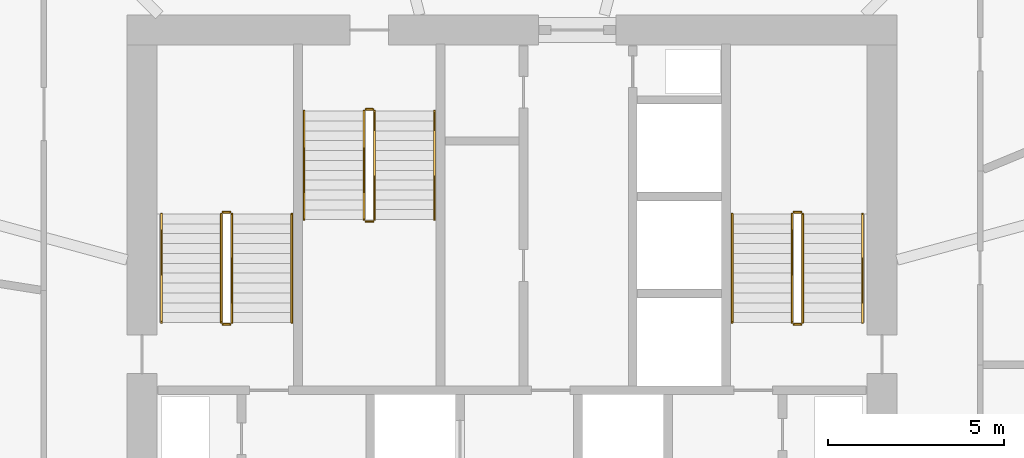
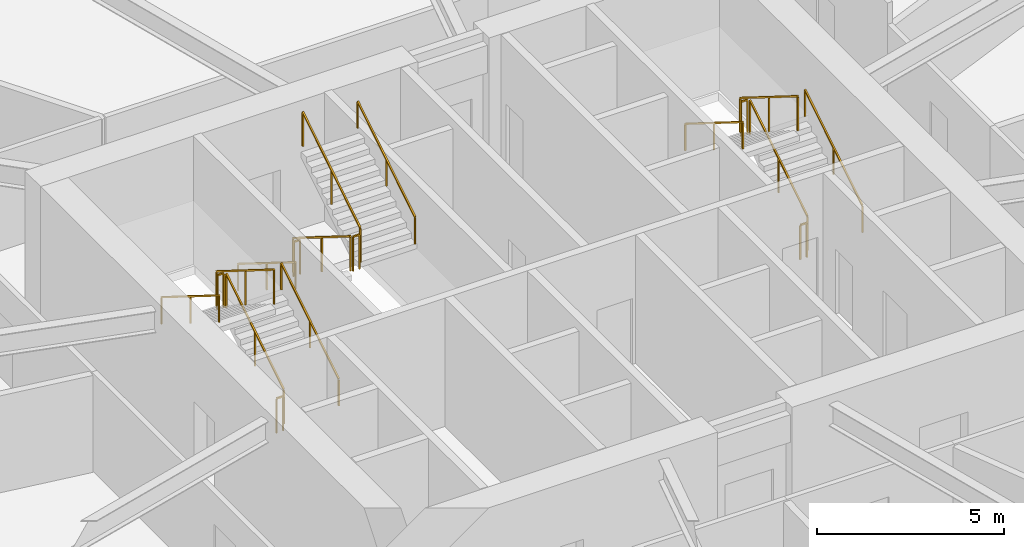
# One storey, part 28 of 28: 18 railings.
"""IFC4 building model written with IfcOpenShell, lengths in metres."""

from ifc_helpers import new_model, si_unit, direction, frame, origin, origin_2d, place, context, subcontext, project, spatial, rectangle, extrude, material, type_object, element, save


model = new_model("IFC4")

# Units and contexts
model_context = context("Model", 3, precision=1e-05, world=origin(), true_north=direction((0.0, 1.0)))
body_context = subcontext(model_context, "Body", "Model", "MODEL_VIEW")
ifc_project = project(units=[si_unit("LENGTHUNIT", "METRE"), si_unit("AREAUNIT", "SQUARE_METRE"), si_unit("VOLUMEUNIT", "CUBIC_METRE"), si_unit("PLANEANGLEUNIT", "RADIAN"), si_unit("MASSUNIT", "GRAM", prefix="KILO")], contexts=[model_context])

# Site, building, storey
site_placement = place(None, origin())
site = spatial("IfcSite", under=ifc_project, at=site_placement, CompositionType="ELEMENT")
building_placement = place(site_placement, origin())
building = spatial("IfcBuilding", under=site, at=building_placement, Name="Zuhravey Tower", CompositionType="ELEMENT")
storey_placement = place(building_placement, frame((0.0, 0.0, 75.0)))
storey = spatial("IfcBuildingStorey", under=building, at=storey_placement, Name="L18", CompositionType="ELEMENT", Elevation=75.0)

# Railings
ifc_material_1 = material(Name="Brushed stainless steel", Category="steel")
railing_type_1 = type_object("IfcRailingType", Name="Stair Wall Handrail 900", PredefinedType="HANDRAIL", material=ifc_material_1)
railing_1_placement = place(storey_placement, frame((29.75, 33.199951171875, 0.175048828125)))
element("IfcRailing", 1, at=railing_1_placement, inside=storey, type_object=railing_type_1, Name="L18 ST1 stair handrail 1", PredefinedType="HANDRAIL", context=body_context, shape_type="SweptSolid", body=[
    extrude(rectangle(XDim=0.048095703125, YDim=0.048095703125, at=origin_2d()), frame((0.0, 0.001708984375, 0.876953125), z_axis=(0.0, 0.847998304005, 0.529998940003), x_axis=(-1.0, 0.0, 0.0)), (0.0, 0.0, 1.0), 3.628173828125),
    extrude(rectangle(XDim=0.0419921875, YDim=0.0419921875, at=origin_2d()), origin(), (0.0, 0.0, 1.0), 0.849853515625),
    extrude(rectangle(XDim=0.0419921875, YDim=0.0419921875, at=origin_2d()), frame((0.0, 1.5400390625, 0.96240234375)), (0.0, 0.0, 1.0), 0.849853515625),
    extrude(rectangle(XDim=0.0419921875, YDim=0.0419921875, at=origin_2d()), frame((0.0, 3.080078125, 1.925048828125)), (0.0, 0.0, 1.0), 0.849853515625),
])
railing_2_placement = place(storey_placement, frame((26.050048828125, 36.280029296875, 2.27490234375)))
element("IfcRailing", 2, at=railing_2_placement, inside=storey, type_object=railing_type_1, Name="L18 ST1 stair handrail 2", PredefinedType="HANDRAIL", context=body_context, shape_type="SweptSolid", body=[
    extrude(rectangle(XDim=0.048095703125, YDim=0.048095703125, at=origin_2d()), frame((0.0, -0.001708984375, 0.876953125), z_axis=(0.0, -0.847998304005, 0.529998940003), x_axis=(1.0, 0.0, 0.0)), (0.0, 0.0, 1.0), 3.628173828125),
    extrude(rectangle(XDim=0.0419921875, YDim=0.0419921875, at=origin_2d()), origin(), (0.0, 0.0, 1.0), 0.849853515625),
    extrude(rectangle(XDim=0.0419921875, YDim=0.0419921875, at=origin_2d()), frame((0.0, -1.5400390625, 0.96240234375)), (0.0, 0.0, 1.0), 0.849853515625),
    extrude(rectangle(XDim=0.0419921875, YDim=0.0419921875, at=origin_2d()), frame((0.0, -3.080078125, 1.925048828125)), (0.0, 0.0, 1.0), 0.849853515625),
])
railing_3_placement = place(storey_placement, frame((45.949951171875, 33.199951171875, 0.175048828125)))
element("IfcRailing", 3, at=railing_3_placement, inside=storey, type_object=railing_type_1, Name="L18 ST2 stair handrail 1", PredefinedType="HANDRAIL", context=body_context, shape_type="SweptSolid", body=[
    extrude(rectangle(XDim=0.048095703125, YDim=0.048095703125, at=origin_2d()), frame((0.0, 0.001708984375, 0.876953125), z_axis=(0.0, 0.847998304005, 0.529998940003), x_axis=(-1.0, 0.0, 0.0)), (0.0, 0.0, 1.0), 3.628173828125),
    extrude(rectangle(XDim=0.0419921875, YDim=0.0419921875, at=origin_2d()), origin(), (0.0, 0.0, 1.0), 0.849853515625),
    extrude(rectangle(XDim=0.0419921875, YDim=0.0419921875, at=origin_2d()), frame((0.0, 1.5400390625, 0.96240234375)), (0.0, 0.0, 1.0), 0.849853515625),
    extrude(rectangle(XDim=0.0419921875, YDim=0.0419921875, at=origin_2d()), frame((0.0, 3.080078125, 1.925048828125)), (0.0, 0.0, 1.0), 0.849853515625),
])
railing_4_placement = place(storey_placement, frame((42.25, 36.280029296875, 2.27490234375)))
element("IfcRailing", 4, at=railing_4_placement, inside=storey, type_object=railing_type_1, Name="L18 ST2 stair handrail 2", PredefinedType="HANDRAIL", context=body_context, shape_type="SweptSolid", body=[
    extrude(rectangle(XDim=0.048095703125, YDim=0.048095703125, at=origin_2d()), frame((0.0, -0.001708984375, 0.876953125), z_axis=(0.0, -0.847998304005, 0.529998940003), x_axis=(1.0, 0.0, 0.0)), (0.0, 0.0, 1.0), 3.628173828125),
    extrude(rectangle(XDim=0.0419921875, YDim=0.0419921875, at=origin_2d()), origin(), (0.0, 0.0, 1.0), 0.849853515625),
    extrude(rectangle(XDim=0.0419921875, YDim=0.0419921875, at=origin_2d()), frame((0.0, -1.5400390625, 0.96240234375)), (0.0, 0.0, 1.0), 0.849853515625),
    extrude(rectangle(XDim=0.0419921875, YDim=0.0419921875, at=origin_2d()), frame((0.0, -3.080078125, 1.925048828125)), (0.0, 0.0, 1.0), 0.849853515625),
])
railing_5_placement = place(storey_placement, frame((30.10009765625, 39.199951171875, 0.175048828125)))
element("IfcRailing", 5, at=railing_5_placement, inside=storey, type_object=railing_type_1, Name="L18 ST3 stair handrail 1", PredefinedType="HANDRAIL", context=body_context, shape_type="SweptSolid", body=[
    extrude(rectangle(XDim=0.048095703125, YDim=0.048095703125, at=origin_2d()), frame((0.0, -0.001708984375, 0.876953125), z_axis=(0.0, -0.847979421464, 0.530029150871), x_axis=(1.0, 0.0, 0.0)), (0.0, 0.0, 1.0), 3.6279296875),
    extrude(rectangle(XDim=0.0419921875, YDim=0.0419921875, at=origin_2d()), origin(), (0.0, 0.0, 1.0), 0.849853515625),
    extrude(rectangle(XDim=0.0419921875, YDim=0.0419921875, at=origin_2d()), frame((0.0, -1.5400390625, 0.96240234375)), (0.0, 0.0, 1.0), 0.849853515625),
    extrude(rectangle(XDim=0.0419921875, YDim=0.0419921875, at=origin_2d()), frame((0.0, -3.079833984375, 1.925048828125)), (0.0, 0.0, 1.0), 0.849853515625),
])
railing_6_placement = place(storey_placement, frame((33.800048828125, 36.1201171875, 2.27490234375)))
element("IfcRailing", 6, at=railing_6_placement, inside=storey, type_object=railing_type_1, Name="L18 ST3 stair handrail 2", PredefinedType="HANDRAIL", context=body_context, shape_type="SweptSolid", body=[
    extrude(rectangle(XDim=0.048095703125, YDim=0.048095703125, at=origin_2d()), frame((0.0, 0.001708984375, 0.876953125), z_axis=(0.0, 0.847979421464, 0.530029150871), x_axis=(-1.0, 0.0, 0.0)), (0.0, 0.0, 1.0), 3.6279296875),
    extrude(rectangle(XDim=0.0419921875, YDim=0.0419921875, at=origin_2d()), origin(), (0.0, 0.0, 1.0), 0.849853515625),
    extrude(rectangle(XDim=0.0419921875, YDim=0.0419921875, at=origin_2d()), frame((0.0, 1.5400390625, 0.96240234375)), (0.0, 0.0, 1.0), 0.849853515625),
    extrude(rectangle(XDim=0.0419921875, YDim=0.0419921875, at=origin_2d()), frame((0.0, 3.079833984375, 1.925048828125)), (0.0, 0.0, 1.0), 0.849853515625),
])
ifc_material_2 = material(Name="Painted tubular steel", Category="steel")
railing_type_2 = type_object("IfcRailingType", Name="Stair Well Guardrail 1150", PredefinedType="GUARDRAIL", material=ifc_material_2)
railing_7_placement = place(storey_placement, frame((28.050048828125, 33.199951171875, 0.175048828125)))
element("IfcRailing", 7, at=railing_7_placement, inside=storey, type_object=railing_type_2, Name="L18 ST1 stair guard 1", PredefinedType="GUARDRAIL", context=body_context, shape_type="SweptSolid", body=[
    extrude(rectangle(XDim=0.048095703125, YDim=0.048095703125, at=origin_2d()), frame((0.0, 0.001708984375, 1.126953125), z_axis=(0.0, 0.847998304005, 0.529998940003), x_axis=(-1.0, 0.0, 0.0)), (0.0, 0.0, 1.0), 3.628173828125),
    extrude(rectangle(XDim=0.0419921875, YDim=0.0419921875, at=origin_2d()), origin(), (0.0, 0.0, 1.0), 1.099853515625),
    extrude(rectangle(XDim=0.0419921875, YDim=0.0419921875, at=origin_2d()), frame((0.0, 1.5400390625, 0.96240234375)), (0.0, 0.0, 1.0), 1.099853515625),
    extrude(rectangle(XDim=0.0419921875, YDim=0.0419921875, at=origin_2d()), frame((0.0, 3.080078125, 1.925048828125)), (0.0, 0.0, 1.0), 1.099853515625),
])
railing_8_placement = place(storey_placement, frame((28.0, 36.330078125, 2.10009765625)))
element("IfcRailing", 8, at=railing_8_placement, inside=storey, type_object=railing_type_2, Name="L18 ST1 stair guard 2", PredefinedType="GUARDRAIL", context=body_context, shape_type="SweptSolid", body=[
    extrude(rectangle(XDim=0.048095703125, YDim=0.048095703125, at=origin_2d()), frame((-0.001953125, 0.0, 1.1259765625), z_axis=(-1.0, 0.0, 0.0), x_axis=(0.0, -1.0, 0.0)), (0.0, 0.0, 1.0), 0.196044921875),
    extrude(rectangle(XDim=0.0419921875, YDim=0.0419921875, at=origin_2d()), origin(), (0.0, 0.0, 1.0), 1.099853515625),
    extrude(rectangle(XDim=0.0419921875, YDim=0.0419921875, at=origin_2d()), frame((-0.199951171875, 0.0, 0.0)), (0.0, 0.0, 1.0), 1.099853515625),
])
railing_9_placement = place(storey_placement, frame((27.75, 36.280029296875, 2.27490234375)))
element("IfcRailing", 9, at=railing_9_placement, inside=storey, type_object=railing_type_2, Name="L18 ST1 stair guard 3", PredefinedType="GUARDRAIL", context=body_context, shape_type="SweptSolid", body=[
    extrude(rectangle(XDim=0.048095703125, YDim=0.048095703125, at=origin_2d()), frame((0.0, -0.001708984375, 1.126953125), z_axis=(0.0, -0.847998304005, 0.529998940003), x_axis=(1.0, 0.0, 0.0)), (0.0, 0.0, 1.0), 3.628173828125),
    extrude(rectangle(XDim=0.0419921875, YDim=0.0419921875, at=origin_2d()), origin(), (0.0, 0.0, 1.0), 1.099853515625),
    extrude(rectangle(XDim=0.0419921875, YDim=0.0419921875, at=origin_2d()), frame((0.0, -1.5400390625, 0.96240234375)), (0.0, 0.0, 1.0), 1.099853515625),
    extrude(rectangle(XDim=0.0419921875, YDim=0.0419921875, at=origin_2d()), frame((0.0, -3.080078125, 1.925048828125)), (0.0, 0.0, 1.0), 1.099853515625),
])
railing_10_placement = place(storey_placement, frame((28.0, 33.14990234375, 0.0)))
element("IfcRailing", 10, at=railing_10_placement, inside=storey, type_object=railing_type_2, Name="L18 ST1 stair guard 4", PredefinedType="GUARDRAIL", context=body_context, shape_type="SweptSolid", body=[
    extrude(rectangle(XDim=0.048095703125, YDim=0.048095703125, at=origin_2d()), frame((-0.001953125, 0.0, 1.1259765625), z_axis=(-1.0, 0.0, 0.0), x_axis=(0.0, -1.0, 0.0)), (0.0, 0.0, 1.0), 0.196044921875),
    extrude(rectangle(XDim=0.0419921875, YDim=0.0419921875, at=origin_2d()), origin(), (0.0, 0.0, 1.0), 1.099853515625),
    extrude(rectangle(XDim=0.0419921875, YDim=0.0419921875, at=origin_2d()), frame((-0.199951171875, 0.0, 0.0)), (0.0, 0.0, 1.0), 1.099853515625),
])
railing_11_placement = place(storey_placement, frame((44.25, 33.199951171875, 0.175048828125)))
element("IfcRailing", 11, at=railing_11_placement, inside=storey, type_object=railing_type_2, Name="L18 ST2 stair guard 1", PredefinedType="GUARDRAIL", context=body_context, shape_type="SweptSolid", body=[
    extrude(rectangle(XDim=0.048095703125, YDim=0.048095703125, at=origin_2d()), frame((0.0, 0.001708984375, 1.126953125), z_axis=(0.0, 0.847998304005, 0.529998940003), x_axis=(-1.0, 0.0, 0.0)), (0.0, 0.0, 1.0), 3.628173828125),
    extrude(rectangle(XDim=0.0419921875, YDim=0.0419921875, at=origin_2d()), origin(), (0.0, 0.0, 1.0), 1.099853515625),
    extrude(rectangle(XDim=0.0419921875, YDim=0.0419921875, at=origin_2d()), frame((0.0, 1.5400390625, 0.96240234375)), (0.0, 0.0, 1.0), 1.099853515625),
    extrude(rectangle(XDim=0.0419921875, YDim=0.0419921875, at=origin_2d()), frame((0.0, 3.080078125, 1.925048828125)), (0.0, 0.0, 1.0), 1.099853515625),
])
railing_12_placement = place(storey_placement, frame((44.199951171875, 36.330078125, 2.10009765625)))
element("IfcRailing", 12, at=railing_12_placement, inside=storey, type_object=railing_type_2, Name="L18 ST2 stair guard 2", PredefinedType="GUARDRAIL", context=body_context, shape_type="SweptSolid", body=[
    extrude(rectangle(XDim=0.048095703125, YDim=0.048095703125, at=origin_2d()), frame((-0.001953125, 0.0, 1.1259765625), z_axis=(-1.0, 0.0, 0.0), x_axis=(0.0, -1.0, 0.0)), (0.0, 0.0, 1.0), 0.196044921875),
    extrude(rectangle(XDim=0.0419921875, YDim=0.0419921875, at=origin_2d()), origin(), (0.0, 0.0, 1.0), 1.099853515625),
    extrude(rectangle(XDim=0.0419921875, YDim=0.0419921875, at=origin_2d()), frame((-0.199951171875, 0.0, 0.0)), (0.0, 0.0, 1.0), 1.099853515625),
])
railing_13_placement = place(storey_placement, frame((43.949951171875, 36.280029296875, 2.27490234375)))
element("IfcRailing", 13, at=railing_13_placement, inside=storey, type_object=railing_type_2, Name="L18 ST2 stair guard 3", PredefinedType="GUARDRAIL", context=body_context, shape_type="SweptSolid", body=[
    extrude(rectangle(XDim=0.048095703125, YDim=0.048095703125, at=origin_2d()), frame((0.0, -0.001708984375, 1.126953125), z_axis=(0.0, -0.847998304005, 0.529998940003), x_axis=(1.0, 0.0, 0.0)), (0.0, 0.0, 1.0), 3.628173828125),
    extrude(rectangle(XDim=0.0419921875, YDim=0.0419921875, at=origin_2d()), origin(), (0.0, 0.0, 1.0), 1.099853515625),
    extrude(rectangle(XDim=0.0419921875, YDim=0.0419921875, at=origin_2d()), frame((0.0, -1.5400390625, 0.96240234375)), (0.0, 0.0, 1.0), 1.099853515625),
    extrude(rectangle(XDim=0.0419921875, YDim=0.0419921875, at=origin_2d()), frame((0.0, -3.080078125, 1.925048828125)), (0.0, 0.0, 1.0), 1.099853515625),
])
railing_14_placement = place(storey_placement, frame((44.199951171875, 33.14990234375, 0.0)))
element("IfcRailing", 14, at=railing_14_placement, inside=storey, type_object=railing_type_2, Name="L18 ST2 stair guard 4", PredefinedType="GUARDRAIL", context=body_context, shape_type="SweptSolid", body=[
    extrude(rectangle(XDim=0.048095703125, YDim=0.048095703125, at=origin_2d()), frame((-0.001953125, 0.0, 1.1259765625), z_axis=(-1.0, 0.0, 0.0), x_axis=(0.0, -1.0, 0.0)), (0.0, 0.0, 1.0), 0.196044921875),
    extrude(rectangle(XDim=0.0419921875, YDim=0.0419921875, at=origin_2d()), origin(), (0.0, 0.0, 1.0), 1.099853515625),
    extrude(rectangle(XDim=0.0419921875, YDim=0.0419921875, at=origin_2d()), frame((-0.199951171875, 0.0, 0.0)), (0.0, 0.0, 1.0), 1.099853515625),
])
railing_15_placement = place(storey_placement, frame((31.800048828125, 39.199951171875, 0.175048828125)))
element("IfcRailing", 15, at=railing_15_placement, inside=storey, type_object=railing_type_2, Name="L18 ST3 stair guard 1", PredefinedType="GUARDRAIL", context=body_context, shape_type="SweptSolid", body=[
    extrude(rectangle(XDim=0.048095703125, YDim=0.048095703125, at=origin_2d()), frame((0.0, -0.001708984375, 1.126953125), z_axis=(0.0, -0.847979421464, 0.530029150871), x_axis=(1.0, 0.0, 0.0)), (0.0, 0.0, 1.0), 3.6279296875),
    extrude(rectangle(XDim=0.0419921875, YDim=0.0419921875, at=origin_2d()), origin(), (0.0, 0.0, 1.0), 1.099853515625),
    extrude(rectangle(XDim=0.0419921875, YDim=0.0419921875, at=origin_2d()), frame((0.0, -1.5400390625, 0.96240234375)), (0.0, 0.0, 1.0), 1.099853515625),
    extrude(rectangle(XDim=0.0419921875, YDim=0.0419921875, at=origin_2d()), frame((0.0, -3.079833984375, 1.925048828125)), (0.0, 0.0, 1.0), 1.099853515625),
])
railing_16_placement = place(storey_placement, frame((31.85009765625, 36.070068359375, 2.10009765625)))
element("IfcRailing", 16, at=railing_16_placement, inside=storey, type_object=railing_type_2, Name="L18 ST3 stair guard 2", PredefinedType="GUARDRAIL", context=body_context, shape_type="SweptSolid", body=[
    extrude(rectangle(XDim=0.048095703125, YDim=0.048095703125, at=origin_2d()), frame((0.001953125, 0.0, 1.1259765625), z_axis=(1.0, 0.0, 0.0), x_axis=(0.0, 1.0, 0.0)), (0.0, 0.0, 1.0), 0.196044921875),
    extrude(rectangle(XDim=0.0419921875, YDim=0.0419921875, at=origin_2d()), origin(), (0.0, 0.0, 1.0), 1.099853515625),
    extrude(rectangle(XDim=0.0419921875, YDim=0.0419921875, at=origin_2d()), frame((0.199951171875, 0.0, 0.0)), (0.0, 0.0, 1.0), 1.099853515625),
])
railing_17_placement = place(storey_placement, frame((32.10009765625, 36.1201171875, 2.27490234375)))
element("IfcRailing", 17, at=railing_17_placement, inside=storey, type_object=railing_type_2, Name="L18 ST3 stair guard 3", PredefinedType="GUARDRAIL", context=body_context, shape_type="SweptSolid", body=[
    extrude(rectangle(XDim=0.048095703125, YDim=0.048095703125, at=origin_2d()), frame((0.0, 0.001708984375, 1.126953125), z_axis=(0.0, 0.847979421464, 0.530029150871), x_axis=(-1.0, 0.0, 0.0)), (0.0, 0.0, 1.0), 3.6279296875),
    extrude(rectangle(XDim=0.0419921875, YDim=0.0419921875, at=origin_2d()), origin(), (0.0, 0.0, 1.0), 1.099853515625),
    extrude(rectangle(XDim=0.0419921875, YDim=0.0419921875, at=origin_2d()), frame((0.0, 1.5400390625, 0.96240234375)), (0.0, 0.0, 1.0), 1.099853515625),
    extrude(rectangle(XDim=0.0419921875, YDim=0.0419921875, at=origin_2d()), frame((0.0, 3.079833984375, 1.925048828125)), (0.0, 0.0, 1.0), 1.099853515625),
])
railing_18_placement = place(storey_placement, frame((31.85009765625, 39.25, 0.0)))
element("IfcRailing", 18, at=railing_18_placement, inside=storey, type_object=railing_type_2, Name="L18 ST3 stair guard 4", PredefinedType="GUARDRAIL", context=body_context, shape_type="SweptSolid", body=[
    extrude(rectangle(XDim=0.048095703125, YDim=0.048095703125, at=origin_2d()), frame((0.001953125, 0.0, 1.1259765625), z_axis=(1.0, 0.0, 0.0), x_axis=(0.0, 1.0, 0.0)), (0.0, 0.0, 1.0), 0.196044921875),
    extrude(rectangle(XDim=0.0419921875, YDim=0.0419921875, at=origin_2d()), origin(), (0.0, 0.0, 1.0), 1.099853515625),
    extrude(rectangle(XDim=0.0419921875, YDim=0.0419921875, at=origin_2d()), frame((0.199951171875, 0.0, 0.0)), (0.0, 0.0, 1.0), 1.099853515625),
])

save(model, "model.ifc")
